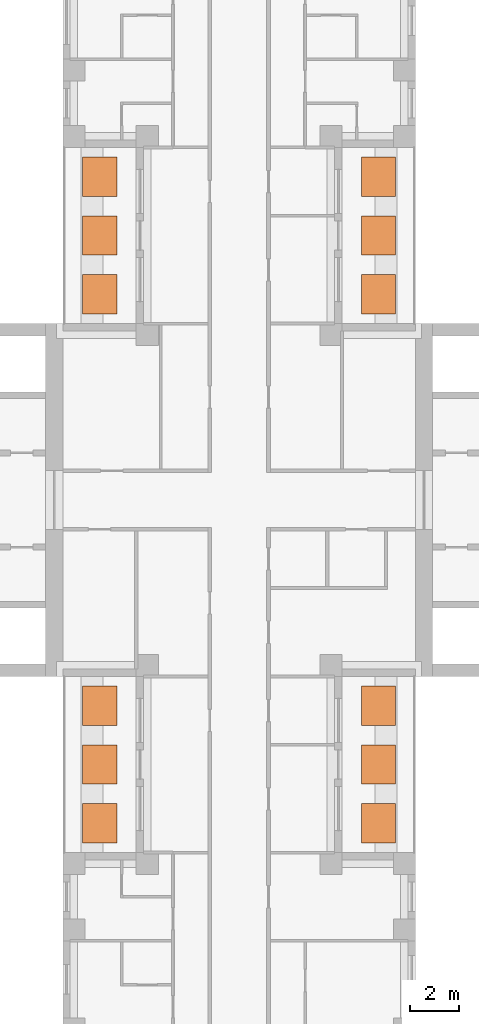
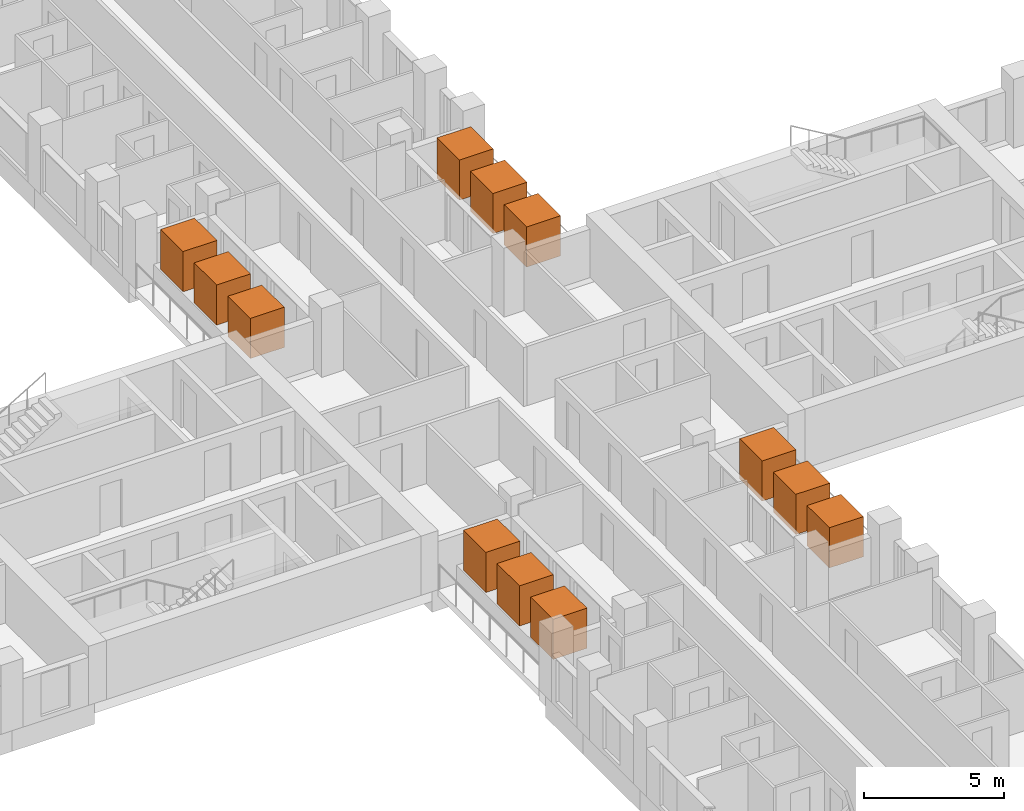
# One storey, part 15 of 15: 12 geographic elements.
"""IFC4 building model written with IfcOpenShell, lengths in metres."""

from ifc_helpers import new_model, si_unit, direction, frame, origin, origin_2d, place, context, subcontext, project, spatial, rectangle, extrude, material, element, save


model = new_model("IFC4")

# Units and contexts
model_context = context("Model", 3, precision=1e-05, world=origin(), true_north=direction((0.0, 1.0)))
body_context = subcontext(model_context, "Body", "Model", "MODEL_VIEW")
ifc_project = project(units=[si_unit("LENGTHUNIT", "METRE"), si_unit("AREAUNIT", "SQUARE_METRE"), si_unit("VOLUMEUNIT", "CUBIC_METRE"), si_unit("PLANEANGLEUNIT", "RADIAN"), si_unit("MASSUNIT", "GRAM", prefix="KILO")], contexts=[model_context])

# Site, building, storey
site_placement = place(None, origin())
site = spatial("IfcSite", under=ifc_project, at=site_placement, CompositionType="ELEMENT")
building_placement = place(site_placement, origin())
building = spatial("IfcBuilding", under=site, at=building_placement, Name="Fustian Cross Tower", CompositionType="ELEMENT")
storey_placement = place(building_placement, frame((0.0, 0.0, 17.699951171875)))
storey = spatial("IfcBuildingStorey", under=building, at=storey_placement, Name="L04", CompositionType="ELEMENT", Elevation=17.699951171875)

# Geographic elements
ifc_material = material(Name="Evergreen foliage")
for number, where, z_axis, x_axis, name in (
    (1, (5.68994140625, 8.39990234375, 0.800048828125), (0.0, 0.0, 1.0), (1.0, 0.0, 0.0), "TREE field maple"),
    (2, (5.68994140625, 10.800048828125, 0.800048828125), (0.0, 0.0, 1.0), (1.0, 0.0, 0.0), "TREE field maple"),
    (3, (5.68994140625, 13.199951171875, 0.800048828125), (0.0, 0.0, 1.0), (1.0, 0.0, 0.0), "TREE field maple"),
    (4, (-5.68994140625, 8.39990234375, 0.800048828125), (0.0, 0.0, 1.0), (1.0, 0.0, 0.0), "TREE field maple"),
    (5, (-5.68994140625, 10.800048828125, 0.800048828125), (0.0, 0.0, 1.0), (1.0, 0.0, 0.0), "TREE field maple"),
    (6, (-5.68994140625, 13.199951171875, 0.800048828125), (0.0, 0.0, 1.0), (1.0, 0.0, 0.0), "TREE field maple"),
    (7, (5.68994140625, -13.199951171875, 0.800048828125), (0.0, 0.0, 1.0), (1.0, 0.0, 0.0), "TREE field maple"),
    (8, (5.68994140625, -10.800048828125, 0.800048828125), (0.0, 0.0, 1.0), (1.0, 0.0, 0.0), "TREE field maple"),
    (9, (5.68994140625, -8.39990234375, 0.800048828125), (0.0, 0.0, 1.0), (1.0, 0.0, 0.0), "TREE field maple"),
    (10, (-5.68994140625, -13.199951171875, 0.800048828125), (0.0, 0.0, 1.0), (1.0, 0.0, 0.0), "TREE field maple"),
    (11, (-5.68994140625, -10.800048828125, 0.800048828125), (0.0, 0.0, 1.0), (1.0, 0.0, 0.0), "TREE field maple"),
    (12, (-5.68994140625, -8.39990234375, 0.800048828125), (0.0, 0.0, 1.0), (1.0, 0.0, 0.0), "TREE field maple"),
):
    element("IfcGeographicElement", number, at=place(storey_placement, frame(where, z_axis=z_axis, x_axis=x_axis)), inside=storey, material=ifc_material, Name=name, ObjectType="VEGETATION", PredefinedType="USERDEFINED", context=body_context, shape_type="SweptSolid", body=[
        extrude(rectangle(XDim=1.39990234375, YDim=1.60009765625, at=origin_2d()), origin(), (0.0, 0.0, 1.0), 1.75),
    ])

save(model, "model.ifc")
